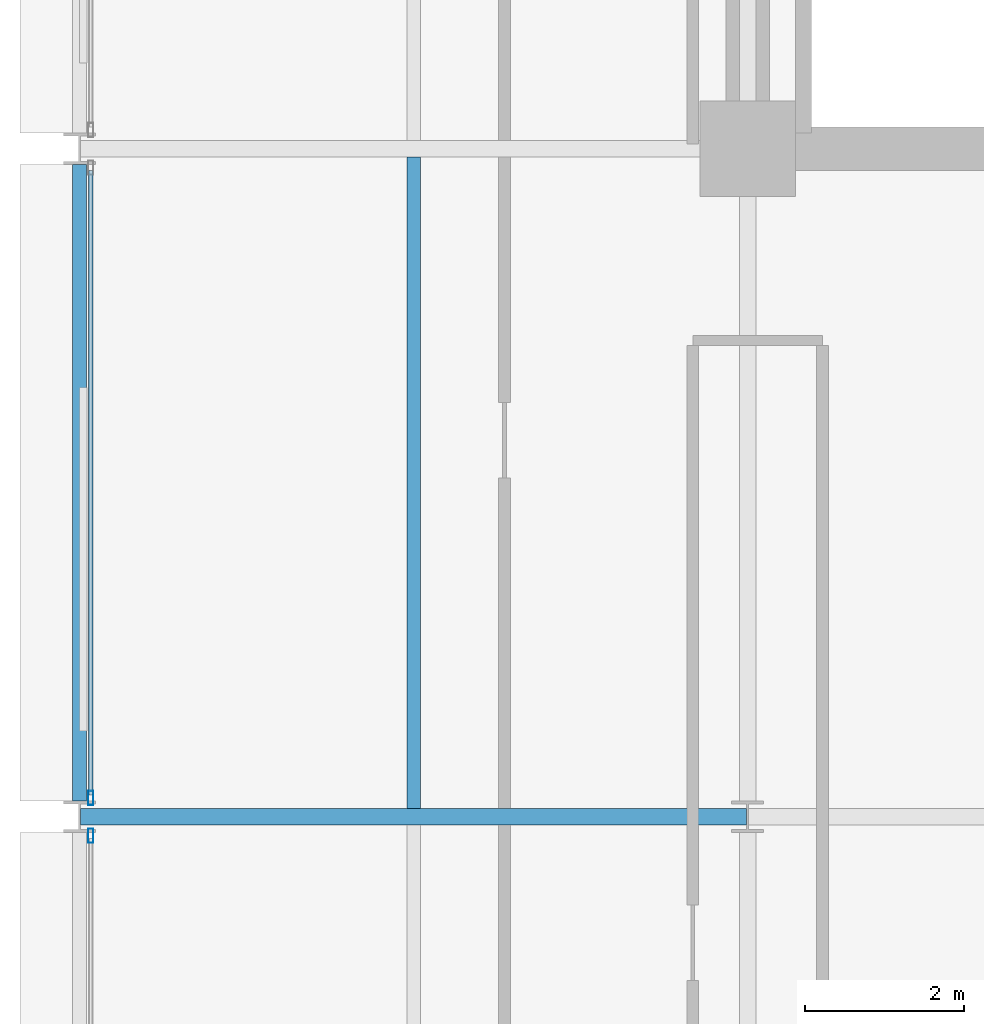
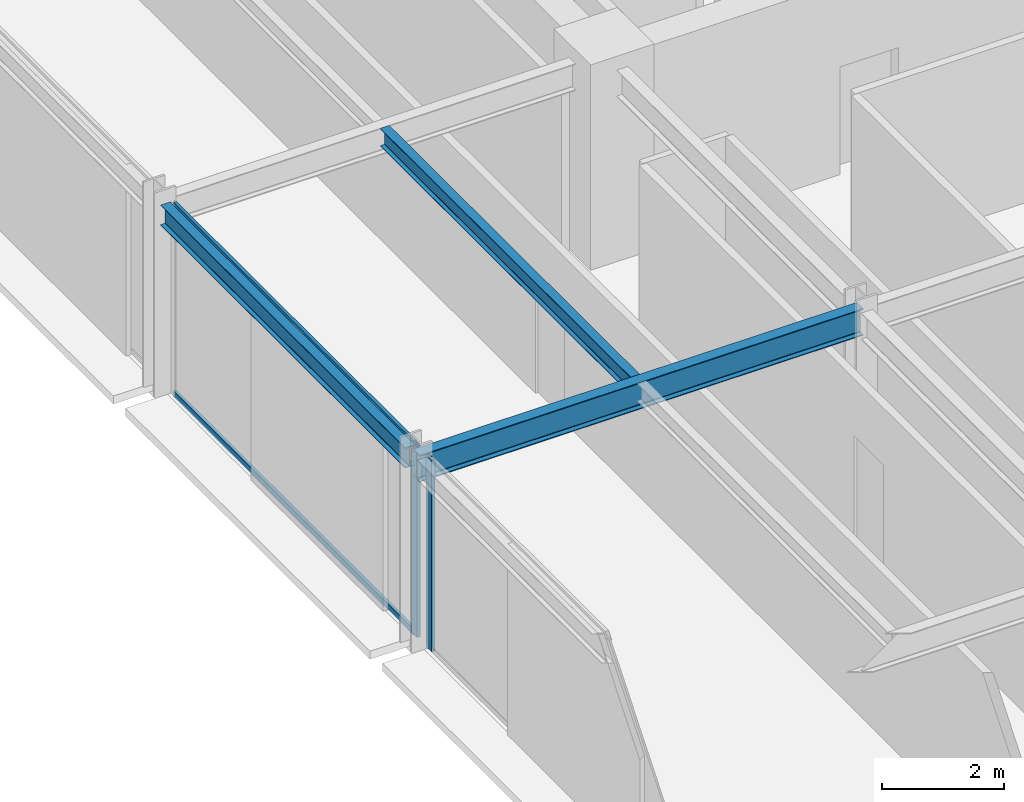
# One storey, part 8 of 30: 4 members, 3 beams, 2 elements without a shape of their own.
"""IFC4 building model written with IfcOpenShell, lengths in metres."""

from ifc_helpers import new_model, si_unit, direction, frame, origin, origin_2d, place, context, subcontext, project, spatial, hollow_rectangle, i_section, extrude, material, layer, layer_set, material_profile, profile_set, type_object, element, aggregate, save


model = new_model("IFC4")

# Units and contexts
model_context = context("Model", 3, precision=1e-05, world=origin(), true_north=direction((0.0, 1.0)))
body_context = subcontext(model_context, "Body", "Model", "MODEL_VIEW")
ifc_project = project(units=[si_unit("LENGTHUNIT", "METRE"), si_unit("AREAUNIT", "SQUARE_METRE"), si_unit("VOLUMEUNIT", "CUBIC_METRE"), si_unit("PLANEANGLEUNIT", "RADIAN"), si_unit("MASSUNIT", "GRAM", prefix="KILO")], contexts=[model_context])

# Site, building, storey
site_placement = place(None, origin())
site = spatial("IfcSite", under=ifc_project, at=site_placement, CompositionType="ELEMENT")
building_placement = place(site_placement, origin())
building = spatial("IfcBuilding", under=site, at=building_placement, Name="Nerrivon Quay Data Exchange", CompositionType="ELEMENT")
storey_placement = place(building_placement, frame((0.0, 0.0, 154.10009765625)))
storey = spatial("IfcBuildingStorey", under=building, at=storey_placement, Name="L36", CompositionType="ELEMENT", Elevation=154.10009765625)

# Beams
ifc_material_1 = material(Name="Steel Grade 350", Category="steel")
ifc_material_profile_1 = material_profile(ifc_material_1, i_section(OverallWidth=0.208984375, OverallDepth=0.532958984375, WebThickness=0.01025390625, FlangeThickness=0.015625, FilletRadius=0.013916015625, at=origin_2d()), Name="530UB92.4")
ifc_profile_set_1 = profile_set([ifc_material_profile_1], Name="Steel Grade 350")
beam_type_1 = type_object("IfcBeamType", Name="BM-G3-530UB92", PredefinedType="BEAM", material=ifc_profile_set_1)
beam_1_placement = place(storey_placement, frame((0.012451171875, 16.800048828125, 3.558349609375), z_axis=(1.0, 0.0, 0.0), x_axis=(0.0, 1.0, 0.0)))
element("IfcBeam", 1, at=beam_1_placement, inside=storey, type_object=beam_type_1, Name="L36 EW Girder Y=16.8 (0.0..8.4)", PredefinedType="BEAM", context=body_context, shape_type="SweptSolid", body=[
    extrude(i_section(OverallWidth=0.208984375, OverallDepth=0.532958984375, WebThickness=0.01025390625, FlangeThickness=0.015625, FilletRadius=0.013916015625, at=origin_2d()), origin(), (0.0, 0.0, 1.0), 8.375),
])
ifc_material_profile_2 = material_profile(ifc_material_1, i_section(OverallWidth=0.1708984375, OverallDepth=0.35595703125, WebThickness=0.00732421875, FlangeThickness=0.011474609375, FilletRadius=0.011474609375, at=origin_2d()), Name="360UB50.7")
ifc_profile_set_2 = profile_set([ifc_material_profile_2], Name="Steel Grade 350")
beam_type_2 = type_object("IfcBeamType", Name="BM-J4-360UB51", PredefinedType="JOIST", material=ifc_profile_set_2)
beam_2_placement = place(storey_placement, frame((4.199951171875, 16.904541015625, 3.64697265625), z_axis=(0.0, 1.0, 0.0), x_axis=(-1.0, 0.0, 0.0)))
element("IfcBeam", 2, at=beam_2_placement, inside=storey, type_object=beam_type_2, Name="L36 Secondary Joist X=4.2 (16.8..25.2)", PredefinedType="JOIST", context=body_context, shape_type="SweptSolid", body=[
    extrude(i_section(OverallWidth=0.1708984375, OverallDepth=0.35595703125, WebThickness=0.00732421875, FlangeThickness=0.011474609375, FilletRadius=0.011474609375, at=origin_2d()), origin(), (0.0, 0.0, 1.0), 8.19091796875),
])
ifc_material_profile_3 = material_profile(ifc_material_1, i_section(OverallWidth=0.177978515625, OverallDepth=0.403076171875, WebThickness=0.007568359375, FlangeThickness=0.010986328125, FilletRadius=0.011474609375, at=origin_2d()), Name="410UB53.7")
ifc_profile_set_3 = profile_set([ifc_material_profile_3], Name="Steel Grade 350")
beam_type_3 = type_object("IfcBeamType", Name="BM-SP2-410UB54", PredefinedType="SPANDREL", material=ifc_profile_set_3)
beam_3_placement = place(storey_placement, frame((0.0, 17.0, 3.623291015625), z_axis=(0.0, 1.0, 0.0), x_axis=(-1.0, 0.0, 0.0)))
element("IfcBeam", 3, at=beam_3_placement, inside=storey, type_object=beam_type_3, Name="L36 NS Girder X=0.0 (16.8..25.2)", PredefinedType="SPANDREL", context=body_context, shape_type="SweptSolid", body=[
    extrude(i_section(OverallWidth=0.177978515625, OverallDepth=0.403076171875, WebThickness=0.007568359375, FlangeThickness=0.010986328125, FilletRadius=0.011474609375, at=origin_2d()), origin(), (0.0, 0.0, 1.0), 8.0),
])

# Curtain wall, member
ifc_material_2 = material(Name="Anodised aluminium 6063-T6", Category="aluminium")
ifc_layer = layer(ifc_material_2, 0.2099609375)
ifc_layer_set = layer_set([ifc_layer], Name="Anodised aluminium 6063-T6")
curtain_wall_type = type_object("IfcCurtainWallType", Name="CW-SYS-02", PredefinedType="NOTDEFINED", material=ifc_layer_set)
curtain_wall_1_placement = place(storey_placement, origin())
curtain_wall_1 = element("IfcCurtainWall", 4, at=curtain_wall_1_placement, inside=storey, type_object=curtain_wall_type, Name="L36 Unitised Curtain Wall 12", PredefinedType="NOTDEFINED")
ifc_material_profile_4 = material_profile(ifc_material_2, hollow_rectangle(XDim=0.06494140625, YDim=0.179931640625, WallThickness=0.00341796875, at=origin_2d()), Name="ALU-MULL-180x65")
ifc_profile_set_4 = profile_set([ifc_material_profile_4], Name="Anodised aluminium 6063-T6")
member_type_1 = type_object("IfcMemberType", Name="CWM-180x65", PredefinedType="MULLION", material=ifc_profile_set_4)
member_1_placement = place(storey_placement, frame((0.139892578125, 16.5625, 0.0), z_axis=(0.0, 0.0, 1.0), x_axis=(-1.0, 0.0, 0.0)))
member_1 = element("IfcMember", 5, at=member_1_placement, type_object=member_type_1, Name="CW02 mullion 2", PredefinedType="MULLION", context=body_context, shape_type="SweptSolid", body=[
    extrude(hollow_rectangle(XDim=0.06494140625, YDim=0.179931640625, WallThickness=0.00341796875, at=origin_2d()), origin(), (0.0, 0.0, 1.0), 3.824951171875),
])
aggregate(curtain_wall_1, [member_1])

# Curtain wall, members
curtain_wall_2_placement = place(storey_placement, origin())
curtain_wall_2 = element("IfcCurtainWall", 6, at=curtain_wall_2_placement, inside=storey, type_object=curtain_wall_type, Name="L36 Unitised Curtain Wall 13", PredefinedType="NOTDEFINED")
member_2_placement = place(storey_placement, frame((0.139892578125, 17.03759765625, 0.0), z_axis=(0.0, 0.0, 1.0), x_axis=(-1.0, 0.0, 0.0)))
member_2 = element("IfcMember", 7, at=member_2_placement, type_object=member_type_1, Name="CW02 mullion 1", PredefinedType="MULLION", context=body_context, shape_type="SweptSolid", body=[
    extrude(hollow_rectangle(XDim=0.06494140625, YDim=0.179931640625, WallThickness=0.00341796875, at=origin_2d()), origin(), (0.0, 0.0, 1.0), 3.824951171875),
])
ifc_material_profile_5 = material_profile(ifc_material_2, hollow_rectangle(XDim=0.06005859375, YDim=0.1201171875, WallThickness=0.003173828125, at=origin_2d()), Name="ALU-TRAN-120x60")
ifc_profile_set_5 = profile_set([ifc_material_profile_5], Name="Anodised aluminium 6063-T6")
member_type_2 = type_object("IfcMemberType", Name="CWT-120x60", PredefinedType="USERDEFINED", material=ifc_profile_set_5)
member_3_placement = place(storey_placement, frame((0.139892578125, 17.074951171875, 0.032470703125), z_axis=(0.0, 1.0, 0.0), x_axis=(-1.0, 0.0, 0.0)))
member_3 = element("IfcMember", 8, at=member_3_placement, type_object=member_type_2, Name="CW02 transom 1.1", ObjectType="TRANSOM", PredefinedType="USERDEFINED", context=body_context, shape_type="SweptSolid", body=[
    extrude(hollow_rectangle(XDim=0.06005859375, YDim=0.1201171875, WallThickness=0.003173828125, at=origin_2d()), origin(), (0.0, 0.0, 1.0), 7.85009765625),
])
member_4_placement = place(storey_placement, frame((0.139892578125, 17.074951171875, 3.79248046875), z_axis=(0.0, 1.0, 0.0), x_axis=(-1.0, 0.0, 0.0)))
member_4 = element("IfcMember", 9, at=member_4_placement, type_object=member_type_2, Name="CW02 transom 1.2", ObjectType="TRANSOM", PredefinedType="USERDEFINED", context=body_context, shape_type="SweptSolid", body=[
    extrude(hollow_rectangle(XDim=0.06005859375, YDim=0.1201171875, WallThickness=0.003173828125, at=origin_2d()), origin(), (0.0, 0.0, 1.0), 7.85009765625),
])
aggregate(curtain_wall_2, [member_2, member_3, member_4])

save(model, "model.ifc")
